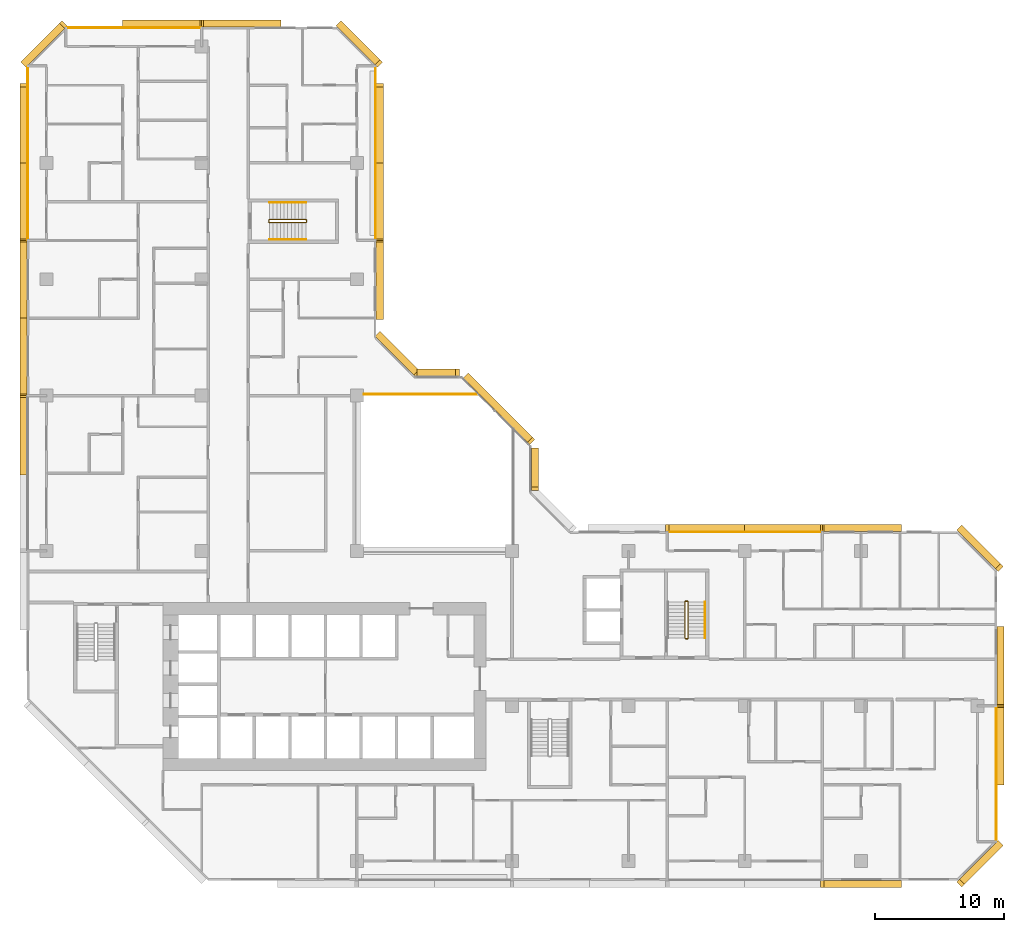
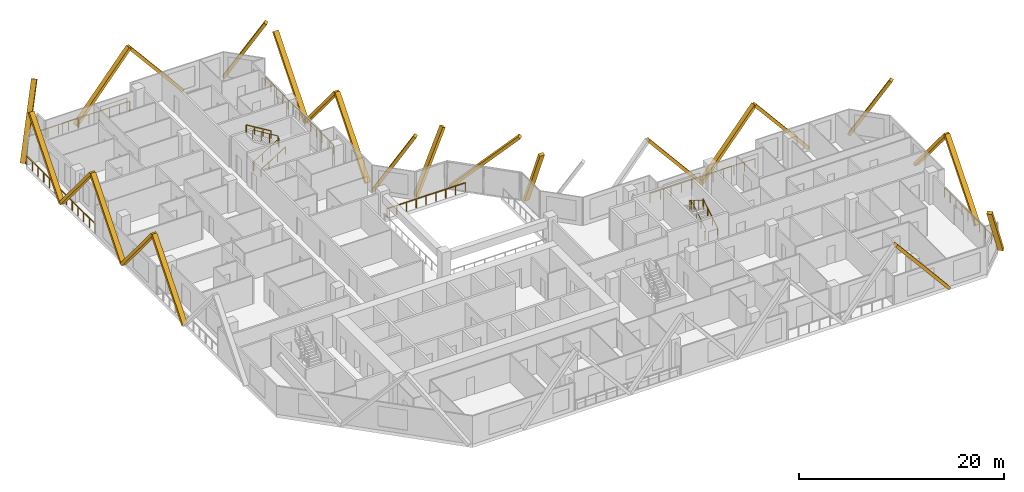
# One storey, part 14 of 14: 24 coverings, 11 railings.
"""IFC4 building model written with IfcOpenShell, lengths in metres."""

from ifc_helpers import new_model, si_unit, direction, frame, origin, origin_2d, place, context, subcontext, project, spatial, rectangle, extrude, material, material_profile, profile_set, type_object, element, save


model = new_model("IFC4")

# Units and contexts
model_context = context("Model", 3, precision=1e-05, world=origin(), true_north=direction((0.0, 1.0)))
body_context = subcontext(model_context, "Body", "Model", "MODEL_VIEW")
ifc_project = project(units=[si_unit("LENGTHUNIT", "METRE"), si_unit("AREAUNIT", "SQUARE_METRE"), si_unit("VOLUMEUNIT", "CUBIC_METRE"), si_unit("PLANEANGLEUNIT", "RADIAN"), si_unit("MASSUNIT", "GRAM", prefix="KILO")], contexts=[model_context])

# Site, building, storey
site_placement = place(None, origin())
site = spatial("IfcSite", under=ifc_project, at=site_placement, CompositionType="ELEMENT")
building_placement = place(site_placement, origin())
building = spatial("IfcBuilding", under=site, at=building_placement, Name="Chenar Terraces", CompositionType="ELEMENT")
storey_placement = place(building_placement, frame((0.0, 0.0, 91.89990234375)))
storey = spatial("IfcBuildingStorey", under=building, at=storey_placement, Name="L20", CompositionType="ELEMENT", Elevation=91.89990234375)

# Railings
ifc_material_1 = material(Name="Powder-coated steel", Category="steel")
railing_type_1 = type_object("IfcRailingType", Name="Guard 1100 steel rail with glass infill", PredefinedType="GUARDRAIL", material=ifc_material_1)
railing_1_placement = place(storey_placement, frame((24.550048828125, 36.10009765625, 0.0)))
element("IfcRailing", 1, at=railing_1_placement, inside=storey, type_object=railing_type_1, Name="Guard L20-2", PredefinedType="GUARDRAIL", context=body_context, shape_type="SweptSolid", body=[
    extrude(rectangle(XDim=0.06005859375, YDim=0.06005859375, at=origin_2d()), frame((0.0, 0.0, 1.070068359375), z_axis=(1.0, 0.0, 0.0), x_axis=(0.0, 1.0, 0.0)), (0.0, 0.0, 1.0), 8.849853515625),
    extrude(rectangle(XDim=0.050048828125, YDim=0.050048828125, at=origin_2d()), origin(), (0.0, 0.0, 1.0), 1.0400390625),
    extrude(rectangle(XDim=0.050048828125, YDim=0.050048828125, at=origin_2d()), frame((1.106201171875, 0.0, 0.0)), (0.0, 0.0, 1.0), 1.0400390625),
    extrude(rectangle(XDim=0.050048828125, YDim=0.050048828125, at=origin_2d()), frame((2.21240234375, 0.0, 0.0)), (0.0, 0.0, 1.0), 1.0400390625),
    extrude(rectangle(XDim=0.050048828125, YDim=0.050048828125, at=origin_2d()), frame((3.318603515625, 0.0, 0.0)), (0.0, 0.0, 1.0), 1.0400390625),
    extrude(rectangle(XDim=0.050048828125, YDim=0.050048828125, at=origin_2d()), frame((4.4248046875, 0.0, 0.0)), (0.0, 0.0, 1.0), 1.0400390625),
    extrude(rectangle(XDim=0.050048828125, YDim=0.050048828125, at=origin_2d()), frame((5.53125, 0.0, 0.0)), (0.0, 0.0, 1.0), 1.0400390625),
    extrude(rectangle(XDim=0.050048828125, YDim=0.050048828125, at=origin_2d()), frame((6.637451171875, 0.0, 0.0)), (0.0, 0.0, 1.0), 1.0400390625),
    extrude(rectangle(XDim=0.050048828125, YDim=0.050048828125, at=origin_2d()), frame((7.74365234375, 0.0, 0.0)), (0.0, 0.0, 1.0), 1.0400390625),
    extrude(rectangle(XDim=0.050048828125, YDim=0.050048828125, at=origin_2d()), frame((8.849853515625, 0.0, 0.0)), (0.0, 0.0, 1.0), 1.0400390625),
])
ifc_material_2 = material(Name="Stainless steel and glass", Category="steel")
railing_type_2 = type_object("IfcRailingType", Name="Loggia guard 1150", PredefinedType="GUARDRAIL", material=ifc_material_2)
railing_2_placement = place(storey_placement, frame((25.449951171875, 48.074951171875, 0.0)))
element("IfcRailing", 2, at=railing_2_placement, inside=storey, type_object=railing_type_2, Name="Loggia guard", PredefinedType="GUARDRAIL", context=body_context, shape_type="SweptSolid", body=[
    extrude(rectangle(XDim=0.048095703125, YDim=0.048095703125, at=origin_2d()), frame((0.0, 0.0, 1.1259765625), z_axis=(0.0, 1.0, 0.0), x_axis=(-1.0, 0.0, 0.0)), (0.0, 0.0, 1.0), 13.35009765625),
    extrude(rectangle(XDim=0.0419921875, YDim=0.0419921875, at=origin_2d()), origin(), (0.0, 0.0, 1.0), 1.101806640625),
    extrude(rectangle(XDim=0.0419921875, YDim=0.0419921875, at=origin_2d()), frame((0.0, 1.112548828125, 0.0)), (0.0, 0.0, 1.0), 1.101806640625),
    extrude(rectangle(XDim=0.0419921875, YDim=0.0419921875, at=origin_2d()), frame((0.0, 2.22509765625, 0.0)), (0.0, 0.0, 1.0), 1.101806640625),
    extrude(rectangle(XDim=0.0419921875, YDim=0.0419921875, at=origin_2d()), frame((0.0, 3.33740234375, 0.0)), (0.0, 0.0, 1.0), 1.101806640625),
    extrude(rectangle(XDim=0.0419921875, YDim=0.0419921875, at=origin_2d()), frame((0.0, 4.449951171875, 0.0)), (0.0, 0.0, 1.0), 1.101806640625),
    extrude(rectangle(XDim=0.0419921875, YDim=0.0419921875, at=origin_2d()), frame((0.0, 5.5625, 0.0)), (0.0, 0.0, 1.0), 1.101806640625),
    extrude(rectangle(XDim=0.0419921875, YDim=0.0419921875, at=origin_2d()), frame((0.0, 6.675048828125, 0.0)), (0.0, 0.0, 1.0), 1.101806640625),
    extrude(rectangle(XDim=0.0419921875, YDim=0.0419921875, at=origin_2d()), frame((0.0, 7.78759765625, 0.0)), (0.0, 0.0, 1.0), 1.101806640625),
    extrude(rectangle(XDim=0.0419921875, YDim=0.0419921875, at=origin_2d()), frame((0.0, 8.900146484375, 0.0)), (0.0, 0.0, 1.0), 1.101806640625),
    extrude(rectangle(XDim=0.0419921875, YDim=0.0419921875, at=origin_2d()), frame((0.0, 10.0126953125, 0.0)), (0.0, 0.0, 1.0), 1.101806640625),
    extrude(rectangle(XDim=0.0419921875, YDim=0.0419921875, at=origin_2d()), frame((0.0, 11.125, 0.0)), (0.0, 0.0, 1.0), 1.101806640625),
    extrude(rectangle(XDim=0.0419921875, YDim=0.0419921875, at=origin_2d()), frame((0.0, 12.237548828125, 0.0)), (0.0, 0.0, 1.0), 1.101806640625),
    extrude(rectangle(XDim=0.0419921875, YDim=0.0419921875, at=origin_2d()), frame((0.0, 13.35009765625, 0.0)), (0.0, 0.0, 1.0), 1.101806640625),
])
railing_3_placement = place(storey_placement, frame((73.449951171875, 1.574951171875, 0.0)))
element("IfcRailing", 3, at=railing_3_placement, inside=storey, type_object=railing_type_2, Name="Loggia guard", PredefinedType="GUARDRAIL", context=body_context, shape_type="SweptSolid", body=[
    extrude(rectangle(XDim=0.048095703125, YDim=0.048095703125, at=origin_2d()), frame((0.0, 0.0, 1.1259765625), z_axis=(0.0, 1.0, 0.0), x_axis=(-1.0, 0.0, 0.0)), (0.0, 0.0, 1.0), 10.35009765625),
    extrude(rectangle(XDim=0.0419921875, YDim=0.0419921875, at=origin_2d()), origin(), (0.0, 0.0, 1.0), 1.101806640625),
    extrude(rectangle(XDim=0.0419921875, YDim=0.0419921875, at=origin_2d()), frame((0.0, 1.14990234375, 0.0)), (0.0, 0.0, 1.0), 1.101806640625),
    extrude(rectangle(XDim=0.0419921875, YDim=0.0419921875, at=origin_2d()), frame((0.0, 2.300048828125, 0.0)), (0.0, 0.0, 1.0), 1.101806640625),
    extrude(rectangle(XDim=0.0419921875, YDim=0.0419921875, at=origin_2d()), frame((0.0, 3.449951171875, 0.0)), (0.0, 0.0, 1.0), 1.101806640625),
    extrude(rectangle(XDim=0.0419921875, YDim=0.0419921875, at=origin_2d()), frame((0.0, 4.60009765625, 0.0)), (0.0, 0.0, 1.0), 1.101806640625),
    extrude(rectangle(XDim=0.0419921875, YDim=0.0419921875, at=origin_2d()), frame((0.0, 5.75, 0.0)), (0.0, 0.0, 1.0), 1.101806640625),
    extrude(rectangle(XDim=0.0419921875, YDim=0.0419921875, at=origin_2d()), frame((0.0, 6.900146484375, 0.0)), (0.0, 0.0, 1.0), 1.101806640625),
    extrude(rectangle(XDim=0.0419921875, YDim=0.0419921875, at=origin_2d()), frame((0.0, 8.050048828125, 0.0)), (0.0, 0.0, 1.0), 1.101806640625),
    extrude(rectangle(XDim=0.0419921875, YDim=0.0419921875, at=origin_2d()), frame((0.0, 9.2001953125, 0.0)), (0.0, 0.0, 1.0), 1.101806640625),
    extrude(rectangle(XDim=0.0419921875, YDim=0.0419921875, at=origin_2d()), frame((0.0, 10.35009765625, 0.0)), (0.0, 0.0, 1.0), 1.101806640625),
])
railing_4_placement = place(storey_placement, frame((59.925048828125, 25.449951171875, 0.0)))
element("IfcRailing", 4, at=railing_4_placement, inside=storey, type_object=railing_type_2, Name="Loggia guard", PredefinedType="GUARDRAIL", context=body_context, shape_type="SweptSolid", body=[
    extrude(rectangle(XDim=0.048095703125, YDim=0.048095703125, at=origin_2d()), frame((0.0, 0.0, 1.1259765625), z_axis=(-1.0, 0.0, 0.0), x_axis=(0.0, -1.0, 0.0)), (0.0, 0.0, 1.0), 11.85009765625),
    extrude(rectangle(XDim=0.0419921875, YDim=0.0419921875, at=origin_2d()), origin(), (0.0, 0.0, 1.0), 1.101806640625),
    extrude(rectangle(XDim=0.0419921875, YDim=0.0419921875, at=origin_2d()), frame((-1.18505859375, 0.0, 0.0)), (0.0, 0.0, 1.0), 1.101806640625),
    extrude(rectangle(XDim=0.0419921875, YDim=0.0419921875, at=origin_2d()), frame((-2.3701171875, 0.0, 0.0)), (0.0, 0.0, 1.0), 1.101806640625),
    extrude(rectangle(XDim=0.0419921875, YDim=0.0419921875, at=origin_2d()), frame((-3.554931640625, 0.0, 0.0)), (0.0, 0.0, 1.0), 1.101806640625),
    extrude(rectangle(XDim=0.0419921875, YDim=0.0419921875, at=origin_2d()), frame((-4.739990234375, 0.0, 0.0)), (0.0, 0.0, 1.0), 1.101806640625),
    extrude(rectangle(XDim=0.0419921875, YDim=0.0419921875, at=origin_2d()), frame((-5.925048828125, 0.0, 0.0)), (0.0, 0.0, 1.0), 1.101806640625),
    extrude(rectangle(XDim=0.0419921875, YDim=0.0419921875, at=origin_2d()), frame((-7.110107421875, 0.0, 0.0)), (0.0, 0.0, 1.0), 1.101806640625),
    extrude(rectangle(XDim=0.0419921875, YDim=0.0419921875, at=origin_2d()), frame((-8.295166015625, 0.0, 0.0)), (0.0, 0.0, 1.0), 1.101806640625),
    extrude(rectangle(XDim=0.0419921875, YDim=0.0419921875, at=origin_2d()), frame((-9.47998046875, 0.0, 0.0)), (0.0, 0.0, 1.0), 1.101806640625),
    extrude(rectangle(XDim=0.0419921875, YDim=0.0419921875, at=origin_2d()), frame((-10.6650390625, 0.0, 0.0)), (0.0, 0.0, 1.0), 1.101806640625),
    extrude(rectangle(XDim=0.0419921875, YDim=0.0419921875, at=origin_2d()), frame((-11.85009765625, 0.0, 0.0)), (0.0, 0.0, 1.0), 1.101806640625),
])
railing_5_placement = place(storey_placement, frame((11.925048828125, 64.449951171875, 0.0)))
element("IfcRailing", 5, at=railing_5_placement, inside=storey, type_object=railing_type_2, Name="Loggia guard", PredefinedType="GUARDRAIL", context=body_context, shape_type="SweptSolid", body=[
    extrude(rectangle(XDim=0.048095703125, YDim=0.048095703125, at=origin_2d()), frame((0.0, 0.0, 1.1259765625), z_axis=(-1.0, 0.0, 0.0), x_axis=(0.0, -1.0, 0.0)), (0.0, 0.0, 1.0), 10.35009765625),
    extrude(rectangle(XDim=0.0419921875, YDim=0.0419921875, at=origin_2d()), origin(), (0.0, 0.0, 1.0), 1.101806640625),
    extrude(rectangle(XDim=0.0419921875, YDim=0.0419921875, at=origin_2d()), frame((-1.14990234375, 0.0, 0.0)), (0.0, 0.0, 1.0), 1.101806640625),
    extrude(rectangle(XDim=0.0419921875, YDim=0.0419921875, at=origin_2d()), frame((-2.300048828125, 0.0, 0.0)), (0.0, 0.0, 1.0), 1.101806640625),
    extrude(rectangle(XDim=0.0419921875, YDim=0.0419921875, at=origin_2d()), frame((-3.449951171875, 0.0, 0.0)), (0.0, 0.0, 1.0), 1.101806640625),
    extrude(rectangle(XDim=0.0419921875, YDim=0.0419921875, at=origin_2d()), frame((-4.60009765625, 0.0, 0.0)), (0.0, 0.0, 1.0), 1.101806640625),
    extrude(rectangle(XDim=0.0419921875, YDim=0.0419921875, at=origin_2d()), frame((-5.75, 0.0, 0.0)), (0.0, 0.0, 1.0), 1.101806640625),
    extrude(rectangle(XDim=0.0419921875, YDim=0.0419921875, at=origin_2d()), frame((-6.900146484375, 0.0, 0.0)), (0.0, 0.0, 1.0), 1.101806640625),
    extrude(rectangle(XDim=0.0419921875, YDim=0.0419921875, at=origin_2d()), frame((-8.050048828125, 0.0, 0.0)), (0.0, 0.0, 1.0), 1.101806640625),
    extrude(rectangle(XDim=0.0419921875, YDim=0.0419921875, at=origin_2d()), frame((-9.2001953125, 0.0, 0.0)), (0.0, 0.0, 1.0), 1.101806640625),
    extrude(rectangle(XDim=0.0419921875, YDim=0.0419921875, at=origin_2d()), frame((-10.35009765625, 0.0, 0.0)), (0.0, 0.0, 1.0), 1.101806640625),
])
railing_6_placement = place(storey_placement, frame((-1.449951171875, 61.425048828125, 0.0)))
element("IfcRailing", 6, at=railing_6_placement, inside=storey, type_object=railing_type_2, Name="Loggia guard", PredefinedType="GUARDRAIL", context=body_context, shape_type="SweptSolid", body=[
    extrude(rectangle(XDim=0.048095703125, YDim=0.048095703125, at=origin_2d()), frame((0.0, 0.0, 1.1259765625), z_axis=(0.0, -1.0, 0.0), x_axis=(1.0, 0.0, 0.0)), (0.0, 0.0, 1.0), 13.35009765625),
    extrude(rectangle(XDim=0.0419921875, YDim=0.0419921875, at=origin_2d()), origin(), (0.0, 0.0, 1.0), 1.101806640625),
    extrude(rectangle(XDim=0.0419921875, YDim=0.0419921875, at=origin_2d()), frame((0.0, -1.112548828125, 0.0)), (0.0, 0.0, 1.0), 1.101806640625),
    extrude(rectangle(XDim=0.0419921875, YDim=0.0419921875, at=origin_2d()), frame((0.0, -2.22509765625, 0.0)), (0.0, 0.0, 1.0), 1.101806640625),
    extrude(rectangle(XDim=0.0419921875, YDim=0.0419921875, at=origin_2d()), frame((0.0, -3.33740234375, 0.0)), (0.0, 0.0, 1.0), 1.101806640625),
    extrude(rectangle(XDim=0.0419921875, YDim=0.0419921875, at=origin_2d()), frame((0.0, -4.449951171875, 0.0)), (0.0, 0.0, 1.0), 1.101806640625),
    extrude(rectangle(XDim=0.0419921875, YDim=0.0419921875, at=origin_2d()), frame((0.0, -5.5625, 0.0)), (0.0, 0.0, 1.0), 1.101806640625),
    extrude(rectangle(XDim=0.0419921875, YDim=0.0419921875, at=origin_2d()), frame((0.0, -6.675048828125, 0.0)), (0.0, 0.0, 1.0), 1.101806640625),
    extrude(rectangle(XDim=0.0419921875, YDim=0.0419921875, at=origin_2d()), frame((0.0, -7.78759765625, 0.0)), (0.0, 0.0, 1.0), 1.101806640625),
    extrude(rectangle(XDim=0.0419921875, YDim=0.0419921875, at=origin_2d()), frame((0.0, -8.900146484375, 0.0)), (0.0, 0.0, 1.0), 1.101806640625),
    extrude(rectangle(XDim=0.0419921875, YDim=0.0419921875, at=origin_2d()), frame((0.0, -10.0126953125, 0.0)), (0.0, 0.0, 1.0), 1.101806640625),
    extrude(rectangle(XDim=0.0419921875, YDim=0.0419921875, at=origin_2d()), frame((0.0, -11.125, 0.0)), (0.0, 0.0, 1.0), 1.101806640625),
    extrude(rectangle(XDim=0.0419921875, YDim=0.0419921875, at=origin_2d()), frame((0.0, -12.237548828125, 0.0)), (0.0, 0.0, 1.0), 1.101806640625),
    extrude(rectangle(XDim=0.0419921875, YDim=0.0419921875, at=origin_2d()), frame((0.0, -13.35009765625, 0.0)), (0.0, 0.0, 1.0), 1.101806640625),
])
ifc_material_3 = material(Name="Powder-coated steel", Category="steel")
railing_type_3 = type_object("IfcRailingType", Name="Stair guard 1100", PredefinedType="GUARDRAIL", material=ifc_material_3)
railing_7_placement = place(storey_placement, frame((49.375, 17.25, 3.75)))
element("IfcRailing", 7, at=railing_7_placement, inside=storey, type_object=railing_type_3, Name="L20 ST3 stair guard 1", PredefinedType="GUARDRAIL", context=body_context, shape_type="SweptSolid", body=[
    extrude(rectangle(XDim=0.048095703125, YDim=0.048095703125, at=origin_2d()), frame((0.0, 0.0, 1.076171875), z_axis=(0.0, 0.854202870247, -0.519939858505), x_axis=(-1.0, 0.0, 0.0)), (0.0, 0.0, 1.0), 3.278076171875),
    extrude(rectangle(XDim=0.048095703125, YDim=0.048095703125, at=origin_2d()), frame((0.0, 2.800048828125, -0.62841796875), z_axis=(0.270899902878, 0.270899902878, -0.923702595667), x_axis=(-0.707106781187, 0.707106781187, 0.0)), (0.0, 0.0, 1.0), 0.184814453125),
    extrude(rectangle(XDim=0.048095703125, YDim=0.048095703125, at=origin_2d()), frame((0.050048828125, 2.85009765625, -0.798828125), z_axis=(1.0, 0.0, 0.0), x_axis=(0.0, 1.0, 0.0)), (0.0, 0.0, 1.0), 0.14990234375),
    extrude(rectangle(XDim=0.048095703125, YDim=0.048095703125, at=origin_2d()), frame((0.199951171875, 2.85009765625, -0.798828125), z_axis=(0.707106781187, -0.707106781187, 0.0), x_axis=(0.707106781187, 0.707106781187, 0.0)), (0.0, 0.0, 1.0), 0.07080078125),
    extrude(rectangle(XDim=0.048095703125, YDim=0.048095703125, at=origin_2d()), frame((0.25, 2.800048828125, -0.798828125), z_axis=(0.0, -0.854202870247, -0.519939858505), x_axis=(1.0, 0.0, 0.0)), (0.0, 0.0, 1.0), 3.278076171875),
    extrude(rectangle(XDim=0.048095703125, YDim=0.048095703125, at=origin_2d()), frame((0.25, 0.0, -2.50341796875), z_axis=(-0.270899902878, -0.270899902878, -0.923702595667), x_axis=(0.707106781187, -0.707106781187, 0.0)), (0.0, 0.0, 1.0), 0.184814453125),
    extrude(rectangle(XDim=0.048095703125, YDim=0.048095703125, at=origin_2d()), frame((0.199951171875, -0.050048828125, -2.673828125), z_axis=(-1.0, 0.0, 0.0), x_axis=(0.0, -1.0, 0.0)), (0.0, 0.0, 1.0), 0.14990234375),
    extrude(rectangle(XDim=0.0419921875, YDim=0.0419921875, at=origin_2d()), origin(), (0.0, 0.0, 1.0), 1.052001953125),
    extrude(rectangle(XDim=0.0419921875, YDim=0.0419921875, at=origin_2d()), frame((0.0, 0.933349609375, -0.568115234375)), (0.0, 0.0, 1.0), 1.052001953125),
    extrude(rectangle(XDim=0.0419921875, YDim=0.0419921875, at=origin_2d()), frame((0.0, 1.86669921875, -1.13623046875)), (0.0, 0.0, 1.0), 1.052001953125),
    extrude(rectangle(XDim=0.0419921875, YDim=0.0419921875, at=origin_2d()), frame((0.0, 2.800048828125, -1.704345703125)), (0.0, 0.0, 1.0), 1.052001953125),
    extrude(rectangle(XDim=0.0419921875, YDim=0.0419921875, at=origin_2d()), frame((0.050048828125, 2.85009765625, -1.875)), (0.0, 0.0, 1.0), 1.052001953125),
    extrude(rectangle(XDim=0.0419921875, YDim=0.0419921875, at=origin_2d()), frame((0.199951171875, 2.85009765625, -1.875)), (0.0, 0.0, 1.0), 1.052001953125),
    extrude(rectangle(XDim=0.0419921875, YDim=0.0419921875, at=origin_2d()), frame((0.25, 2.800048828125, -1.875)), (0.0, 0.0, 1.0), 1.052001953125),
    extrude(rectangle(XDim=0.0419921875, YDim=0.0419921875, at=origin_2d()), frame((0.25, 1.86669921875, -2.443115234375)), (0.0, 0.0, 1.0), 1.052001953125),
    extrude(rectangle(XDim=0.0419921875, YDim=0.0419921875, at=origin_2d()), frame((0.25, 0.933349609375, -3.01123046875)), (0.0, 0.0, 1.0), 1.052001953125),
    extrude(rectangle(XDim=0.0419921875, YDim=0.0419921875, at=origin_2d()), frame((0.25, 0.0, -3.579345703125)), (0.0, 0.0, 1.0), 1.052001953125),
    extrude(rectangle(XDim=0.0419921875, YDim=0.0419921875, at=origin_2d()), frame((0.199951171875, -0.050048828125, -3.75)), (0.0, 0.0, 1.0), 1.052001953125),
    extrude(rectangle(XDim=0.0419921875, YDim=0.0419921875, at=origin_2d()), frame((0.050048828125, -0.050048828125, -3.75)), (0.0, 0.0, 1.0), 1.052001953125),
])
railing_8_placement = place(storey_placement, frame((17.25, 49.625, 3.75)))
element("IfcRailing", 8, at=railing_8_placement, inside=storey, type_object=railing_type_3, Name="L20 ST4 stair guard 1", PredefinedType="GUARDRAIL", context=body_context, shape_type="SweptSolid", body=[
    extrude(rectangle(XDim=0.048095703125, YDim=0.048095703125, at=origin_2d()), frame((0.0, 0.0, 1.076171875), z_axis=(0.854202870247, 0.0, -0.519939858505), x_axis=(0.0, 1.0, 0.0)), (0.0, 0.0, 1.0), 3.278076171875),
    extrude(rectangle(XDim=0.048095703125, YDim=0.048095703125, at=origin_2d()), frame((2.800048828125, 0.0, -0.62841796875), z_axis=(0.270899902878, -0.270899902878, -0.923702595667), x_axis=(0.707106781187, 0.707106781187, 0.0)), (0.0, 0.0, 1.0), 0.184814453125),
    extrude(rectangle(XDim=0.048095703125, YDim=0.048095703125, at=origin_2d()), frame((2.85009765625, -0.050048828125, -0.798828125), z_axis=(0.0, -1.0, 0.0), x_axis=(1.0, 0.0, 0.0)), (0.0, 0.0, 1.0), 0.14990234375),
    extrude(rectangle(XDim=0.048095703125, YDim=0.048095703125, at=origin_2d()), frame((2.85009765625, -0.199951171875, -0.798828125), z_axis=(-0.707106781187, -0.707106781187, 0.0), x_axis=(0.707106781187, -0.707106781187, 0.0)), (0.0, 0.0, 1.0), 0.07080078125),
    extrude(rectangle(XDim=0.048095703125, YDim=0.048095703125, at=origin_2d()), frame((2.800048828125, -0.25, -0.798828125), z_axis=(-0.854202870247, 0.0, -0.519939858505), x_axis=(0.0, -1.0, 0.0)), (0.0, 0.0, 1.0), 3.278076171875),
    extrude(rectangle(XDim=0.048095703125, YDim=0.048095703125, at=origin_2d()), frame((0.0, -0.25, -2.50341796875), z_axis=(-0.270899902878, 0.270899902878, -0.923702595667), x_axis=(-0.707106781187, -0.707106781187, 0.0)), (0.0, 0.0, 1.0), 0.184814453125),
    extrude(rectangle(XDim=0.048095703125, YDim=0.048095703125, at=origin_2d()), frame((-0.050048828125, -0.199951171875, -2.673828125), z_axis=(0.0, 1.0, 0.0), x_axis=(-1.0, 0.0, 0.0)), (0.0, 0.0, 1.0), 0.14990234375),
    extrude(rectangle(XDim=0.0419921875, YDim=0.0419921875, at=origin_2d()), origin(), (0.0, 0.0, 1.0), 1.052001953125),
    extrude(rectangle(XDim=0.0419921875, YDim=0.0419921875, at=origin_2d()), frame((0.933349609375, 0.0, -0.568115234375)), (0.0, 0.0, 1.0), 1.052001953125),
    extrude(rectangle(XDim=0.0419921875, YDim=0.0419921875, at=origin_2d()), frame((1.86669921875, 0.0, -1.13623046875)), (0.0, 0.0, 1.0), 1.052001953125),
    extrude(rectangle(XDim=0.0419921875, YDim=0.0419921875, at=origin_2d()), frame((2.800048828125, 0.0, -1.704345703125)), (0.0, 0.0, 1.0), 1.052001953125),
    extrude(rectangle(XDim=0.0419921875, YDim=0.0419921875, at=origin_2d()), frame((2.85009765625, -0.050048828125, -1.875)), (0.0, 0.0, 1.0), 1.052001953125),
    extrude(rectangle(XDim=0.0419921875, YDim=0.0419921875, at=origin_2d()), frame((2.85009765625, -0.199951171875, -1.875)), (0.0, 0.0, 1.0), 1.052001953125),
    extrude(rectangle(XDim=0.0419921875, YDim=0.0419921875, at=origin_2d()), frame((2.800048828125, -0.25, -1.875)), (0.0, 0.0, 1.0), 1.052001953125),
    extrude(rectangle(XDim=0.0419921875, YDim=0.0419921875, at=origin_2d()), frame((1.86669921875, -0.25, -2.443115234375)), (0.0, 0.0, 1.0), 1.052001953125),
    extrude(rectangle(XDim=0.0419921875, YDim=0.0419921875, at=origin_2d()), frame((0.933349609375, -0.25, -3.01123046875)), (0.0, 0.0, 1.0), 1.052001953125),
    extrude(rectangle(XDim=0.0419921875, YDim=0.0419921875, at=origin_2d()), frame((0.0, -0.25, -3.579345703125)), (0.0, 0.0, 1.0), 1.052001953125),
    extrude(rectangle(XDim=0.0419921875, YDim=0.0419921875, at=origin_2d()), frame((-0.050048828125, -0.199951171875, -3.75)), (0.0, 0.0, 1.0), 1.052001953125),
    extrude(rectangle(XDim=0.0419921875, YDim=0.0419921875, at=origin_2d()), frame((-0.050048828125, -0.050048828125, -3.75)), (0.0, 0.0, 1.0), 1.052001953125),
])
ifc_material_4 = material(Name="Powder-coated steel", Category="steel")
railing_type_4 = type_object("IfcRailingType", Name="Stair handrail 900", PredefinedType="HANDRAIL", material=ifc_material_4)
railing_9_placement = place(storey_placement, frame((50.925048828125, 17.25, 0.170654296875)))
element("IfcRailing", 9, at=railing_9_placement, inside=storey, type_object=railing_type_4, Name="L20 ST3 stair handrail 1", PredefinedType="HANDRAIL", context=body_context, shape_type="SweptSolid", body=[
    extrude(rectangle(XDim=0.048095703125, YDim=0.048095703125, at=origin_2d()), frame((0.0, 0.0, 0.8759765625), z_axis=(0.0, 0.854202870247, 0.519939858505), x_axis=(-1.0, 0.0, 0.0)), (0.0, 0.0, 1.0), 3.278076171875),
    extrude(rectangle(XDim=0.0419921875, YDim=0.0419921875, at=origin_2d()), origin(), (0.0, 0.0, 1.0), 0.851806640625),
    extrude(rectangle(XDim=0.0419921875, YDim=0.0419921875, at=origin_2d()), frame((0.0, 0.933349609375, 0.568115234375)), (0.0, 0.0, 1.0), 0.851806640625),
    extrude(rectangle(XDim=0.0419921875, YDim=0.0419921875, at=origin_2d()), frame((0.0, 1.86669921875, 1.13623046875)), (0.0, 0.0, 1.0), 0.851806640625),
    extrude(rectangle(XDim=0.0419921875, YDim=0.0419921875, at=origin_2d()), frame((0.0, 2.800048828125, 1.704345703125)), (0.0, 0.0, 1.0), 0.851806640625),
])
railing_10_placement = place(storey_placement, frame((17.25, 48.074951171875, 0.170654296875)))
element("IfcRailing", 10, at=railing_10_placement, inside=storey, type_object=railing_type_4, Name="L20 ST4 stair handrail 1", PredefinedType="HANDRAIL", context=body_context, shape_type="SweptSolid", body=[
    extrude(rectangle(XDim=0.048095703125, YDim=0.048095703125, at=origin_2d()), frame((0.0, 0.0, 0.8759765625), z_axis=(0.854202870247, 0.0, 0.519939858505), x_axis=(0.0, 1.0, 0.0)), (0.0, 0.0, 1.0), 3.278076171875),
    extrude(rectangle(XDim=0.0419921875, YDim=0.0419921875, at=origin_2d()), origin(), (0.0, 0.0, 1.0), 0.851806640625),
    extrude(rectangle(XDim=0.0419921875, YDim=0.0419921875, at=origin_2d()), frame((0.933349609375, 0.0, 0.568115234375)), (0.0, 0.0, 1.0), 0.851806640625),
    extrude(rectangle(XDim=0.0419921875, YDim=0.0419921875, at=origin_2d()), frame((1.86669921875, 0.0, 1.13623046875)), (0.0, 0.0, 1.0), 0.851806640625),
    extrude(rectangle(XDim=0.0419921875, YDim=0.0419921875, at=origin_2d()), frame((2.800048828125, 0.0, 1.704345703125)), (0.0, 0.0, 1.0), 0.851806640625),
])
railing_11_placement = place(storey_placement, frame((20.050048828125, 50.925048828125, 2.045654296875)))
element("IfcRailing", 11, at=railing_11_placement, inside=storey, type_object=railing_type_4, Name="L20 ST4 stair handrail 2", PredefinedType="HANDRAIL", context=body_context, shape_type="SweptSolid", body=[
    extrude(rectangle(XDim=0.048095703125, YDim=0.048095703125, at=origin_2d()), frame((0.0, 0.0, 0.8759765625), z_axis=(-0.854202870247, 0.0, 0.519939858505), x_axis=(0.0, -1.0, 0.0)), (0.0, 0.0, 1.0), 3.278076171875),
    extrude(rectangle(XDim=0.0419921875, YDim=0.0419921875, at=origin_2d()), origin(), (0.0, 0.0, 1.0), 0.851806640625),
    extrude(rectangle(XDim=0.0419921875, YDim=0.0419921875, at=origin_2d()), frame((-0.933349609375, 0.0, 0.568115234375)), (0.0, 0.0, 1.0), 0.851806640625),
    extrude(rectangle(XDim=0.0419921875, YDim=0.0419921875, at=origin_2d()), frame((-1.86669921875, 0.0, 1.13623046875)), (0.0, 0.0, 1.0), 0.851806640625),
    extrude(rectangle(XDim=0.0419921875, YDim=0.0419921875, at=origin_2d()), frame((-2.800048828125, 0.0, 1.704345703125)), (0.0, 0.0, 1.0), 0.851806640625),
])

# Coverings
ifc_material_5 = material(Name="Terracotta", Category="masonry")
ifc_material_profile = material_profile(ifc_material_5, rectangle(XDim=0.550048828125, YDim=0.330078125, at=origin_2d()), Name="Terracotta baguette 550 x 330")
ifc_profile_set = profile_set([ifc_material_profile], Name="Terracotta")
covering_type = type_object("IfcCoveringType", Name="Terracotta baguette 550 x 330", PredefinedType="CLADDING", material=ifc_profile_set)
for number, where, z_axis, x_axis, name in (
    (12, (66.0, 25.77490234375, 0.150146484375), (-0.640186961885, 0.0, 0.768219144407), (0.0, -1.0, 0.0), "Terracotta baguette"),
    (13, (60.0, 25.77490234375, 7.35009765625), (-0.640186961885, 0.0, -0.768219144407), (0.0, -1.0, 0.0), "Terracotta baguette"),
    (14, (54.0, 25.77490234375, 0.150146484375), (-0.640186961885, 0.0, 0.768219144407), (0.0, -1.0, 0.0), "Terracotta baguette"),
):
    element("IfcCovering", number, at=place(storey_placement, frame(where, z_axis=z_axis, x_axis=x_axis)), inside=storey, type_object=covering_type, Name=name, PredefinedType="CLADDING", context=body_context, shape_type="SweptSolid", body=[
        extrude(rectangle(XDim=0.550048828125, YDim=0.330078125, at=origin_2d()), origin(), (0.0, 0.0, 1.0), 9.372314453125),
    ])
covering_1_placement = place(storey_placement, frame((37.77490234375, 28.800048828125, 7.35009765625), z_axis=(0.0, 0.384617607118, -0.923075997031), x_axis=(-1.0, 0.0, 0.0)))
element("IfcCovering", 15, at=covering_1_placement, inside=storey, type_object=covering_type, Name="Terracotta baguette", PredefinedType="CLADDING", context=body_context, shape_type="SweptSolid", body=[
    extrude(rectangle(XDim=0.550048828125, YDim=0.330078125, at=origin_2d()), origin(), (0.0, 0.0, 1.0), 7.800048828125),
])
covering_2_placement = place(storey_placement, frame((37.482421875, 32.506591796875, 7.35009765625), z_axis=(-0.494240720479, 0.494240720479, -0.715158877761), x_axis=(-0.707106781187, -0.707106781187, 0.0)))
element("IfcCovering", 16, at=covering_2_placement, inside=storey, type_object=covering_type, Name="Terracotta baguette", PredefinedType="CLADDING", context=body_context, shape_type="SweptSolid", body=[
    extrude(rectangle(XDim=0.550048828125, YDim=0.330078125, at=origin_2d()), origin(), (0.0, 0.0, 1.0), 10.067626953125),
])
covering_3_placement = place(storey_placement, frame((31.800048828125, 37.77490234375, 7.35009765625), z_axis=(-0.384617607118, 0.0, -0.923075997031), x_axis=(0.0, -1.0, 0.0)))
element("IfcCovering", 17, at=covering_3_placement, inside=storey, type_object=covering_type, Name="Terracotta baguette", PredefinedType="CLADDING", context=body_context, shape_type="SweptSolid", body=[
    extrude(rectangle(XDim=0.550048828125, YDim=0.330078125, at=origin_2d()), origin(), (0.0, 0.0, 1.0), 7.800048828125),
])
covering_4_placement = place(storey_placement, frame((28.6943359375, 37.6943359375, 7.35009765625), z_axis=(-0.358955436736, 0.358984650982, -0.861557319507), x_axis=(-0.70713555402, -0.707078007182, 0.0)))
element("IfcCovering", 18, at=covering_4_placement, inside=storey, type_object=covering_type, Name="Terracotta baguette", PredefinedType="CLADDING", context=body_context, shape_type="SweptSolid", body=[
    extrude(rectangle(XDim=0.550048828125, YDim=0.330078125, at=origin_2d()), origin(), (0.0, 0.0, 1.0), 8.35693359375),
])
for number, where, z_axis, x_axis, name in (
    (19, (25.77490234375, 42.0, 0.150146484375), (0.0, 0.640186961885, 0.768219144407), (-1.0, 0.0, 0.0), "Terracotta baguette"),
    (20, (25.77490234375, 48.0, 7.35009765625), (0.0, 0.640186961885, -0.768219144407), (-1.0, 0.0, 0.0), "Terracotta baguette"),
    (21, (25.77490234375, 54.0, 0.150146484375), (0.0, 0.640186961885, 0.768219144407), (-1.0, 0.0, 0.0), "Terracotta baguette"),
):
    element("IfcCovering", number, at=place(storey_placement, frame(where, z_axis=z_axis, x_axis=x_axis)), inside=storey, type_object=covering_type, Name=name, PredefinedType="CLADDING", context=body_context, shape_type="SweptSolid", body=[
        extrude(rectangle(XDim=0.550048828125, YDim=0.330078125, at=origin_2d()), origin(), (0.0, 0.0, 1.0), 9.372314453125),
    ])
covering_5_placement = place(storey_placement, frame((25.6943359375, 61.6943359375, 7.35009765625), z_axis=(-0.358955436736, 0.358984650982, -0.861557319507), x_axis=(-0.70713555402, -0.707078007182, 0.0)))
element("IfcCovering", 22, at=covering_5_placement, inside=storey, type_object=covering_type, Name="Terracotta baguette", PredefinedType="CLADDING", context=body_context, shape_type="SweptSolid", body=[
    extrude(rectangle(XDim=0.550048828125, YDim=0.330078125, at=origin_2d()), origin(), (0.0, 0.0, 1.0), 8.35693359375),
])
for number, where, z_axis, x_axis, name in (
    (23, (18.0, 64.77490234375, 0.150146484375), (-0.640186961885, 0.0, 0.768219144407), (0.0, -1.0, 0.0), "Terracotta baguette"),
    (24, (12.0, 64.77490234375, 7.35009765625), (-0.640186961885, 0.0, -0.768219144407), (0.0, -1.0, 0.0), "Terracotta baguette"),
):
    element("IfcCovering", number, at=place(storey_placement, frame(where, z_axis=z_axis, x_axis=x_axis)), inside=storey, type_object=covering_type, Name=name, PredefinedType="CLADDING", context=body_context, shape_type="SweptSolid", body=[
        extrude(rectangle(XDim=0.550048828125, YDim=0.330078125, at=origin_2d()), origin(), (0.0, 0.0, 1.0), 9.372314453125),
    ])
covering_6_placement = place(storey_placement, frame((1.3056640625, 64.6943359375, 7.35009765625), z_axis=(-0.358984650982, -0.358955436736, -0.861557319507), x_axis=(0.707078007182, -0.70713555402, 0.0)))
element("IfcCovering", 25, at=covering_6_placement, inside=storey, type_object=covering_type, Name="Terracotta baguette", PredefinedType="CLADDING", context=body_context, shape_type="SweptSolid", body=[
    extrude(rectangle(XDim=0.550048828125, YDim=0.330078125, at=origin_2d()), origin(), (0.0, 0.0, 1.0), 8.35693359375),
])
for number, where, z_axis, x_axis, name in (
    (26, (-1.77490234375, 60.0, 7.35009765625), (0.0, -0.640186961885, -0.768219144407), (1.0, 0.0, 0.0), "Terracotta baguette"),
    (27, (-1.77490234375, 54.0, 0.150146484375), (0.0, -0.640186961885, 0.768219144407), (1.0, 0.0, 0.0), "Terracotta baguette"),
    (28, (-1.77490234375, 48.0, 7.35009765625), (0.0, -0.640186961885, -0.768219144407), (1.0, 0.0, 0.0), "Terracotta baguette"),
    (29, (-1.77490234375, 42.0, 0.150146484375), (0.0, -0.640186961885, 0.768219144407), (1.0, 0.0, 0.0), "Terracotta baguette"),
    (30, (-1.77490234375, 36.0, 7.35009765625), (0.0, -0.640186961885, -0.768219144407), (1.0, 0.0, 0.0), "Terracotta baguette"),
    (31, (60.0, -1.77490234375, 7.35009765625), (0.640186961885, 0.0, -0.768219144407), (0.0, 1.0, 0.0), "Terracotta baguette"),
):
    element("IfcCovering", number, at=place(storey_placement, frame(where, z_axis=z_axis, x_axis=x_axis)), inside=storey, type_object=covering_type, Name=name, PredefinedType="CLADDING", context=body_context, shape_type="SweptSolid", body=[
        extrude(rectangle(XDim=0.550048828125, YDim=0.330078125, at=origin_2d()), origin(), (0.0, 0.0, 1.0), 9.372314453125),
    ])
covering_7_placement = place(storey_placement, frame((70.6943359375, -1.6943359375, 7.35009765625), z_axis=(0.358984650982, 0.358955436736, -0.861557319507), x_axis=(-0.707078007182, 0.70713555402, 0.0)))
element("IfcCovering", 32, at=covering_7_placement, inside=storey, type_object=covering_type, Name="Terracotta baguette", PredefinedType="CLADDING", context=body_context, shape_type="SweptSolid", body=[
    extrude(rectangle(XDim=0.550048828125, YDim=0.330078125, at=origin_2d()), origin(), (0.0, 0.0, 1.0), 8.35693359375),
])
for number, where, z_axis, x_axis, name in (
    (33, (73.77490234375, 6.0, 0.150146484375), (0.0, 0.640186961885, 0.768219144407), (-1.0, 0.0, 0.0), "Terracotta baguette"),
    (34, (73.77490234375, 12.0, 7.35009765625), (0.0, 0.640186961885, -0.768219144407), (-1.0, 0.0, 0.0), "Terracotta baguette"),
):
    element("IfcCovering", number, at=place(storey_placement, frame(where, z_axis=z_axis, x_axis=x_axis)), inside=storey, type_object=covering_type, Name=name, PredefinedType="CLADDING", context=body_context, shape_type="SweptSolid", body=[
        extrude(rectangle(XDim=0.550048828125, YDim=0.330078125, at=origin_2d()), origin(), (0.0, 0.0, 1.0), 9.372314453125),
    ])
covering_8_placement = place(storey_placement, frame((73.6943359375, 22.6943359375, 7.35009765625), z_axis=(-0.358955436736, 0.358984650982, -0.861557319507), x_axis=(-0.70713555402, -0.707078007182, 0.0)))
element("IfcCovering", 35, at=covering_8_placement, inside=storey, type_object=covering_type, Name="Terracotta baguette", PredefinedType="CLADDING", context=body_context, shape_type="SweptSolid", body=[
    extrude(rectangle(XDim=0.550048828125, YDim=0.330078125, at=origin_2d()), origin(), (0.0, 0.0, 1.0), 8.35693359375),
])

save(model, "model.ifc")
